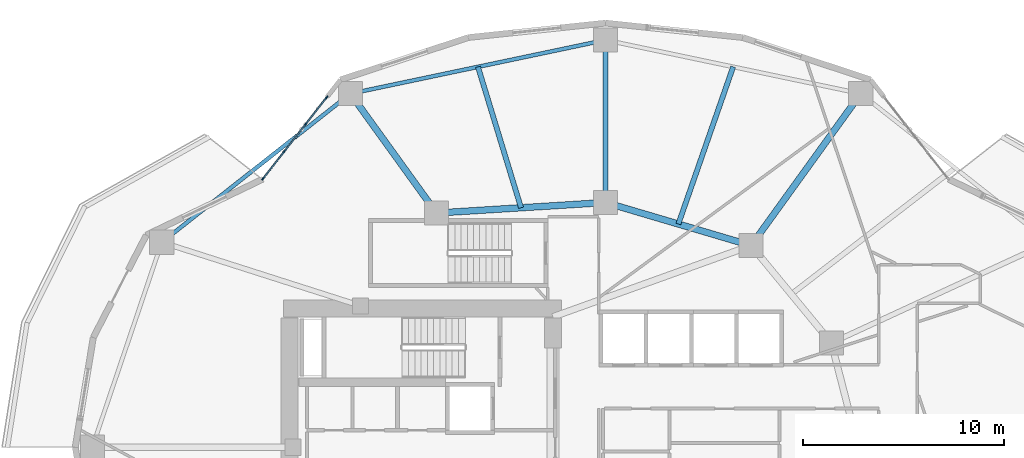
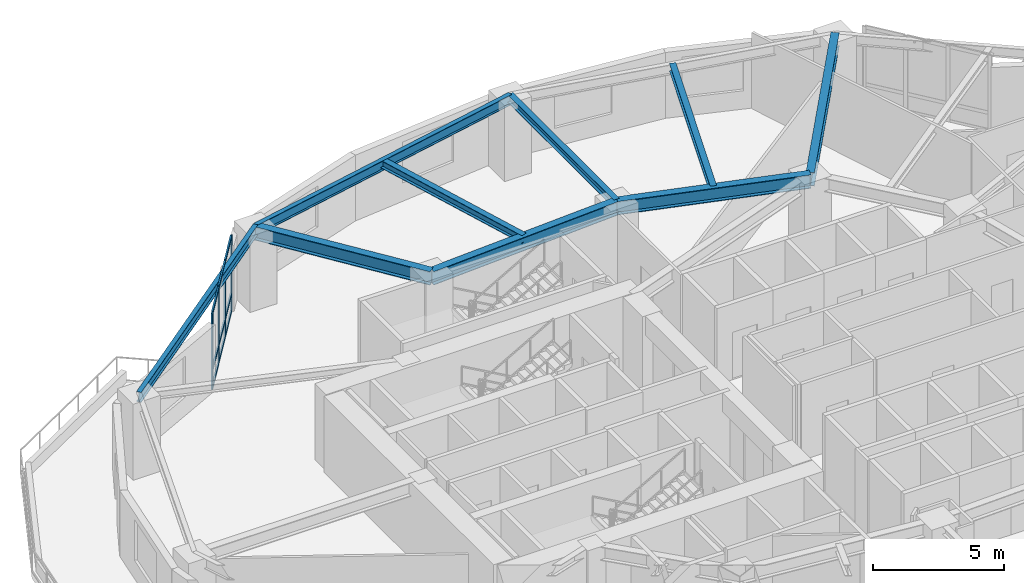
# One storey, part 2 of 12: 13 members, 9 beams, 1 element without a shape of its own.
"""IFC4 building model written with IfcOpenShell, lengths in metres."""

from ifc_helpers import new_model, si_unit, direction, frame, origin, origin_2d, place, context, subcontext, project, spatial, rectangle, i_section, extrude, material, layer, layer_set, material_profile, profile_set, type_object, element, aggregate, save


model = new_model("IFC4")

# Units and contexts
model_context = context("Model", 3, precision=1e-05, world=origin(), true_north=direction((0.0, 1.0)))
body_context = subcontext(model_context, "Body", "Model", "MODEL_VIEW")
ifc_project = project(units=[si_unit("LENGTHUNIT", "METRE"), si_unit("AREAUNIT", "SQUARE_METRE"), si_unit("VOLUMEUNIT", "CUBIC_METRE"), si_unit("PLANEANGLEUNIT", "RADIAN"), si_unit("MASSUNIT", "GRAM", prefix="KILO")], contexts=[model_context])

# Site, building, storey
site_placement = place(None, origin())
site = spatial("IfcSite", under=ifc_project, at=site_placement, CompositionType="ELEMENT")
building_placement = place(site_placement, origin())
building = spatial("IfcBuilding", under=site, at=building_placement, Name="Kolvaren Gate Tower and Convention Centre", CompositionType="ELEMENT")
storey_placement = place(building_placement, frame((0.0, 0.0, 91.949951171875)))
storey = spatial("IfcBuildingStorey", under=building, at=storey_placement, Name="L22", CompositionType="ELEMENT", Elevation=91.949951171875)

# Curtain wall, members
ifc_material_1 = material(Name="Anodized Architectural Aluminium Alloy 6063-T6", Category="aluminium")
ifc_layer = layer(ifc_material_1, 0.159912109375)
ifc_layer_set = layer_set([ifc_layer], Name="Anodized Architectural Aluminium Alloy 6063-T6")
curtain_wall_type = type_object("IfcCurtainWallType", Name="CW-OFF-UNIT", PredefinedType="NOTDEFINED", material=ifc_layer_set)
curtain_wall_placement = place(storey_placement, origin())
curtain_wall = element("IfcCurtainWall", 1, at=curtain_wall_placement, inside=storey, type_object=curtain_wall_type, Name="Tower L22 Unitised Curtain Wall CW-OFF-UNIT Bay 08", PredefinedType="NOTDEFINED")
ifc_material_profile_1 = material_profile(ifc_material_1, rectangle(XDim=0.06494140625, YDim=0.159912109375, at=origin_2d()), Name="CW-MEM-MUL-160")
ifc_profile_set_1 = profile_set([ifc_material_profile_1], Name="Anodized Architectural Aluminium Alloy 6063-T6")
member_type_1 = type_object("IfcMemberType", Name="CW-MEM-MUL-160", PredefinedType="MULLION", material=ifc_profile_set_1)
member_1_placement = place(storey_placement, frame((13.046142578125, 40.3857421875, 0.0), z_axis=(0.0, 0.0, 1.0), x_axis=(-0.787403080271, 0.616438471527, 0.0)))
member_1 = element("IfcMember", 2, at=member_1_placement, type_object=member_type_1, Name="CW-02 mullion 1", PredefinedType="MULLION", context=body_context, shape_type="SweptSolid", body=[
    extrude(rectangle(XDim=0.06494140625, YDim=0.159912109375, at=origin_2d()), origin(), (0.0, 0.0, 1.0), 3.530029296875),
])
member_2_placement = place(storey_placement, frame((14.098388671875, 41.729736328125, 0.0), z_axis=(0.0, 0.0, 1.0), x_axis=(-0.787403080271, 0.616438471527, 0.0)))
member_2 = element("IfcMember", 3, at=member_2_placement, type_object=member_type_1, Name="CW-02 mullion 2", PredefinedType="MULLION", context=body_context, shape_type="SweptSolid", body=[
    extrude(rectangle(XDim=0.06494140625, YDim=0.159912109375, at=origin_2d()), origin(), (0.0, 0.0, 1.0), 3.530029296875),
])
member_3_placement = place(storey_placement, frame((15.17041015625, 43.09912109375, 0.0), z_axis=(0.0, 0.0, 1.0), x_axis=(-0.787403080271, 0.616438471527, 0.0)))
member_3 = element("IfcMember", 4, at=member_3_placement, type_object=member_type_1, Name="CW-02 mullion 3", PredefinedType="MULLION", context=body_context, shape_type="SweptSolid", body=[
    extrude(rectangle(XDim=0.06494140625, YDim=0.159912109375, at=origin_2d()), origin(), (0.0, 0.0, 1.0), 3.530029296875),
])
member_4_placement = place(storey_placement, frame((16.22265625, 44.443115234375, 0.0), z_axis=(0.0, 0.0, 1.0), x_axis=(-0.787403080271, 0.616438471527, 0.0)))
member_4 = element("IfcMember", 5, at=member_4_placement, type_object=member_type_1, Name="CW-02 mullion 4", PredefinedType="MULLION", context=body_context, shape_type="SweptSolid", body=[
    extrude(rectangle(XDim=0.06494140625, YDim=0.159912109375, at=origin_2d()), origin(), (0.0, 0.0, 1.0), 3.530029296875),
])
ifc_material_profile_2 = material_profile(ifc_material_1, rectangle(XDim=0.06494140625, YDim=0.159912109375, at=origin_2d()), Name="CW-MEM-TRN-160")
ifc_profile_set_2 = profile_set([ifc_material_profile_2], Name="Anodized Architectural Aluminium Alloy 6063-T6")
member_type_2 = type_object("IfcMemberType", Name="CW-MEM-TRN-160", PredefinedType="USERDEFINED", material=ifc_profile_set_2)
member_5_placement = place(storey_placement, frame((13.066162109375, 40.411376953125, 0.032470703125), z_axis=(0.61650069609, 0.787354362228, 0.0), x_axis=(-0.787354362228, 0.61650069609, 0.0)))
member_5 = element("IfcMember", 6, at=member_5_placement, type_object=member_type_2, Name="CW-02 transom 1.1", ObjectType="TRANSOM", PredefinedType="USERDEFINED", context=body_context, shape_type="SweptSolid", body=[
    extrude(rectangle(XDim=0.06494140625, YDim=0.159912109375, at=origin_2d()), origin(), (0.0, 0.0, 1.0), 1.641845703125),
])
member_6_placement = place(storey_placement, frame((13.066162109375, 40.411376953125, 0.85009765625), z_axis=(0.61650069609, 0.787354362228, 0.0), x_axis=(-0.787354362228, 0.61650069609, 0.0)))
member_6 = element("IfcMember", 7, at=member_6_placement, type_object=member_type_2, Name="CW-02 transom 1.2", ObjectType="TRANSOM", PredefinedType="USERDEFINED", context=body_context, shape_type="SweptSolid", body=[
    extrude(rectangle(XDim=0.06494140625, YDim=0.159912109375, at=origin_2d()), origin(), (0.0, 0.0, 1.0), 1.641845703125),
])
member_7_placement = place(storey_placement, frame((13.066162109375, 40.411376953125, 3.49755859375), z_axis=(0.61650069609, 0.787354362228, 0.0), x_axis=(-0.787354362228, 0.61650069609, 0.0)))
member_7 = element("IfcMember", 8, at=member_7_placement, type_object=member_type_2, Name="CW-02 transom 1.3", ObjectType="TRANSOM", PredefinedType="USERDEFINED", context=body_context, shape_type="SweptSolid", body=[
    extrude(rectangle(XDim=0.06494140625, YDim=0.159912109375, at=origin_2d()), origin(), (0.0, 0.0, 1.0), 1.641845703125),
])
member_8_placement = place(storey_placement, frame((14.118408203125, 41.75537109375, 0.032470703125), z_axis=(0.61639082822, 0.787440376718, 0.0), x_axis=(-0.787440376718, 0.61639082822, 0.0)))
member_8 = element("IfcMember", 9, at=member_8_placement, type_object=member_type_2, Name="CW-02 transom 2.1", ObjectType="TRANSOM", PredefinedType="USERDEFINED", context=body_context, shape_type="SweptSolid", body=[
    extrude(rectangle(XDim=0.06494140625, YDim=0.159912109375, at=origin_2d()), origin(), (0.0, 0.0, 1.0), 1.67431640625),
])
member_9_placement = place(storey_placement, frame((14.118408203125, 41.75537109375, 0.85009765625), z_axis=(0.61639082822, 0.787440376718, 0.0), x_axis=(-0.787440376718, 0.61639082822, 0.0)))
member_9 = element("IfcMember", 10, at=member_9_placement, type_object=member_type_2, Name="CW-02 transom 2.2", ObjectType="TRANSOM", PredefinedType="USERDEFINED", context=body_context, shape_type="SweptSolid", body=[
    extrude(rectangle(XDim=0.06494140625, YDim=0.159912109375, at=origin_2d()), origin(), (0.0, 0.0, 1.0), 1.67431640625),
])
member_10_placement = place(storey_placement, frame((14.118408203125, 41.75537109375, 3.49755859375), z_axis=(0.61639082822, 0.787440376718, 0.0), x_axis=(-0.787440376718, 0.61639082822, 0.0)))
member_10 = element("IfcMember", 11, at=member_10_placement, type_object=member_type_2, Name="CW-02 transom 2.3", ObjectType="TRANSOM", PredefinedType="USERDEFINED", context=body_context, shape_type="SweptSolid", body=[
    extrude(rectangle(XDim=0.06494140625, YDim=0.159912109375, at=origin_2d()), origin(), (0.0, 0.0, 1.0), 1.67431640625),
])
member_11_placement = place(storey_placement, frame((15.1904296875, 43.124755859375, 0.032470703125), z_axis=(0.616428523412, 0.787410868304, 0.0), x_axis=(-0.787410868304, 0.616428523412, 0.0)))
member_11 = element("IfcMember", 12, at=member_11_placement, type_object=member_type_2, Name="CW-02 transom 3.1", ObjectType="TRANSOM", PredefinedType="USERDEFINED", context=body_context, shape_type="SweptSolid", body=[
    extrude(rectangle(XDim=0.06494140625, YDim=0.159912109375, at=origin_2d()), origin(), (0.0, 0.0, 1.0), 1.64208984375),
])
member_12_placement = place(storey_placement, frame((15.1904296875, 43.124755859375, 0.85009765625), z_axis=(0.616428523412, 0.787410868304, 0.0), x_axis=(-0.787410868304, 0.616428523412, 0.0)))
member_12 = element("IfcMember", 13, at=member_12_placement, type_object=member_type_2, Name="CW-02 transom 3.2", ObjectType="TRANSOM", PredefinedType="USERDEFINED", context=body_context, shape_type="SweptSolid", body=[
    extrude(rectangle(XDim=0.06494140625, YDim=0.159912109375, at=origin_2d()), origin(), (0.0, 0.0, 1.0), 1.64208984375),
])
member_13_placement = place(storey_placement, frame((15.1904296875, 43.124755859375, 3.49755859375), z_axis=(0.616428523412, 0.787410868304, 0.0), x_axis=(-0.787410868304, 0.616428523412, 0.0)))
member_13 = element("IfcMember", 14, at=member_13_placement, type_object=member_type_2, Name="CW-02 transom 3.3", ObjectType="TRANSOM", PredefinedType="USERDEFINED", context=body_context, shape_type="SweptSolid", body=[
    extrude(rectangle(XDim=0.06494140625, YDim=0.159912109375, at=origin_2d()), origin(), (0.0, 0.0, 1.0), 1.64208984375),
])
aggregate(curtain_wall, [member_1, member_2, member_3, member_4, member_5, member_6, member_7, member_8, member_9, member_10, member_11, member_12, member_13])

# Beams
ifc_material_2 = material(Name="Structural steel ASTM A992 Grade 345 MPa", Category="steel")
ifc_material_profile_3 = material_profile(ifc_material_2, i_section(OverallWidth=0.327880859375, OverallDepth=0.6279296875, WebThickness=0.0166015625, FlangeThickness=0.027587890625, at=origin_2d()), Name="W610X217")
ifc_profile_set_3 = profile_set([ifc_material_profile_3], Name="Structural steel ASTM A992 Grade 345 MPa")
beam_type_1 = type_object("IfcBeamType", Name="STR-BM-W610X217", PredefinedType="BEAM", material=ifc_profile_set_3)
beam_1_placement = place(storey_placement, frame((37.381591796875, 37.054931640625, 3.216064453125), z_axis=(-0.958980837827, 0.283470902706, 0.0), x_axis=(-0.283470902706, -0.958980837827, 0.0)))
element("IfcBeam", 15, at=beam_1_placement, inside=storey, type_object=beam_type_1, Name="Tower L22 Primary Ring Girder G-03", PredefinedType="BEAM", context=body_context, shape_type="SweptSolid", body=[
    extrude(i_section(OverallWidth=0.327880859375, OverallDepth=0.6279296875, WebThickness=0.0166015625, FlangeThickness=0.027587890625, at=origin_2d()), origin(), (0.0, 0.0, 1.0), 7.56689453125),
])
beam_2_placement = place(storey_placement, frame((30.125, 39.199951171875, 3.216064453125), z_axis=(-0.998078258568, -0.06196603726, 0.0), x_axis=(0.06196603726, -0.998078258568, 0.0)))
element("IfcBeam", 16, at=beam_2_placement, inside=storey, type_object=beam_type_1, Name="Tower L22 Primary Ring Girder G-04", PredefinedType="BEAM", context=body_context, shape_type="SweptSolid", body=[
    extrude(i_section(OverallWidth=0.327880859375, OverallDepth=0.6279296875, WebThickness=0.0166015625, FlangeThickness=0.027587890625, at=origin_2d()), origin(), (0.0, 0.0, 1.0), 8.443115234375),
])
beam_3_placement = place(storey_placement, frame((37.381591796875, 37.054931640625, 3.216064453125), z_axis=(0.585207971848, 0.810883240477, 0.0), x_axis=(-0.810883240477, 0.585207971848, 0.0)))
element("IfcBeam", 17, at=beam_3_placement, inside=storey, type_object=beam_type_1, Name="Tower L22 Radial Floor Girder RB-03", PredefinedType="BEAM", context=body_context, shape_type="SweptSolid", body=[
    extrude(i_section(OverallWidth=0.327880859375, OverallDepth=0.6279296875, WebThickness=0.0166015625, FlangeThickness=0.027587890625, at=origin_2d()), origin(), (0.0, 0.0, 1.0), 9.33837890625),
])
beam_4_placement = place(storey_placement, frame((21.697998046875, 38.6767578125, 3.216064453125), z_axis=(-0.585190474102, 0.810895868173, 0.0), x_axis=(-0.810895868173, -0.585190474102, 0.0)))
element("IfcBeam", 18, at=beam_4_placement, inside=storey, type_object=beam_type_1, Name="Tower L22 Radial Floor Girder RB-05", PredefinedType="BEAM", context=body_context, shape_type="SweptSolid", body=[
    extrude(i_section(OverallWidth=0.327880859375, OverallDepth=0.6279296875, WebThickness=0.0166015625, FlangeThickness=0.027587890625, at=origin_2d()), origin(), (0.0, 0.0, 1.0), 7.338134765625),
])
ifc_material_profile_4 = material_profile(ifc_material_2, i_section(OverallWidth=0.2548828125, OverallDepth=0.35693359375, WebThickness=0.010498046875, FlangeThickness=0.018310546875, at=origin_2d()), Name="W360X101")
ifc_profile_set_4 = profile_set([ifc_material_profile_4], Name="Structural steel ASTM A992 Grade 345 MPa")
beam_type_2 = type_object("IfcBeamType", Name="STR-JS-W360X101", PredefinedType="JOIST", material=ifc_profile_set_4)
beam_5_placement = place(storey_placement, frame((30.125, 39.199951171875, 3.3515625), z_axis=(0.0, 1.0, 0.0), x_axis=(-1.0, 0.0, 0.0)))
element("IfcBeam", 19, at=beam_5_placement, inside=storey, type_object=beam_type_2, Name="Tower L22 Radial Floor Girder RB-04", PredefinedType="JOIST", context=body_context, shape_type="SweptSolid", body=[
    extrude(i_section(OverallWidth=0.2548828125, OverallDepth=0.35693359375, WebThickness=0.010498046875, FlangeThickness=0.018310546875, at=origin_2d()), origin(), (0.0, 0.0, 1.0), 8.10009765625),
])
beam_6_placement = place(storey_placement, frame((33.75341796875, 38.12744140625, 3.3515625), z_axis=(0.329233693857, 0.944248470917, 0.0), x_axis=(-0.944248470917, 0.329233693857, 0.0)))
element("IfcBeam", 20, at=beam_6_placement, inside=storey, type_object=beam_type_2, Name="Tower L22 Secondary Composite Floor Joist J-03.1", PredefinedType="JOIST", context=body_context, shape_type="SweptSolid", body=[
    extrude(i_section(OverallWidth=0.2548828125, OverallDepth=0.35693359375, WebThickness=0.010498046875, FlangeThickness=0.018310546875, at=origin_2d()), origin(), (0.0, 0.0, 1.0), 8.298583984375),
])
beam_7_placement = place(storey_placement, frame((25.91162109375, 38.938232421875, 3.3515625), z_axis=(-0.292298748053, 0.956327058012, 0.0), x_axis=(-0.956327058012, -0.292298748053, 0.0)))
element("IfcBeam", 21, at=beam_7_placement, inside=storey, type_object=beam_type_2, Name="Tower L22 Secondary Composite Floor Joist J-04.1", PredefinedType="JOIST", context=body_context, shape_type="SweptSolid", body=[
    extrude(i_section(OverallWidth=0.2548828125, OverallDepth=0.35693359375, WebThickness=0.010498046875, FlangeThickness=0.018310546875, at=origin_2d()), origin(), (0.0, 0.0, 1.0), 7.345947265625),
])
ifc_material_profile_5 = material_profile(ifc_material_2, i_section(OverallWidth=0.194091796875, OverallDepth=0.468994140625, WebThickness=0.0126953125, FlangeThickness=0.0205078125, at=origin_2d()), Name="W460X106")
ifc_profile_set_5 = profile_set([ifc_material_profile_5], Name="Structural steel ASTM A992 Grade 345 MPa")
beam_type_3 = type_object("IfcBeamType", Name="STR-SP-W460X106", PredefinedType="SPANDREL", material=ifc_profile_set_5)
beam_8_placement = place(storey_placement, frame((30.125, 47.300048828125, 3.295654296875), z_axis=(-0.97863180809, -0.205620485836, 0.0), x_axis=(0.205620485836, -0.97863180809, 0.0)))
element("IfcBeam", 22, at=beam_8_placement, inside=storey, type_object=beam_type_3, Name="Tower L22 Perimeter Spandrel Beam SP-04", PredefinedType="SPANDREL", context=body_context, shape_type="SweptSolid", body=[
    extrude(i_section(OverallWidth=0.194091796875, OverallDepth=0.468994140625, WebThickness=0.0126953125, FlangeThickness=0.0205078125, at=origin_2d()), origin(), (0.0, 0.0, 1.0), 12.9990234375),
])
beam_9_placement = place(storey_placement, frame((17.40380859375, 44.627197265625, 3.295654296875), z_axis=(-0.785467636887, -0.618902731778, 0.0), x_axis=(0.618902731778, -0.785467636887, 0.0)))
element("IfcBeam", 23, at=beam_9_placement, inside=storey, type_object=beam_type_3, Name="Tower L22 Perimeter Spandrel Beam SP-05", PredefinedType="SPANDREL", context=body_context, shape_type="SweptSolid", body=[
    extrude(i_section(OverallWidth=0.194091796875, OverallDepth=0.468994140625, WebThickness=0.0126953125, FlangeThickness=0.0205078125, at=origin_2d()), origin(), (0.0, 0.0, 1.0), 11.970703125),
])

save(model, "model.ifc")
